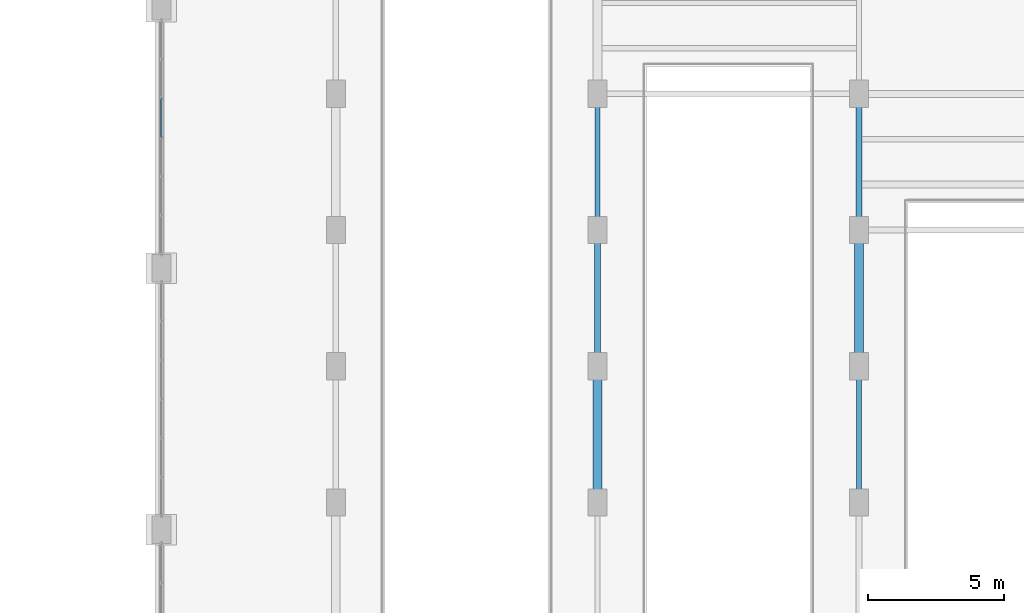
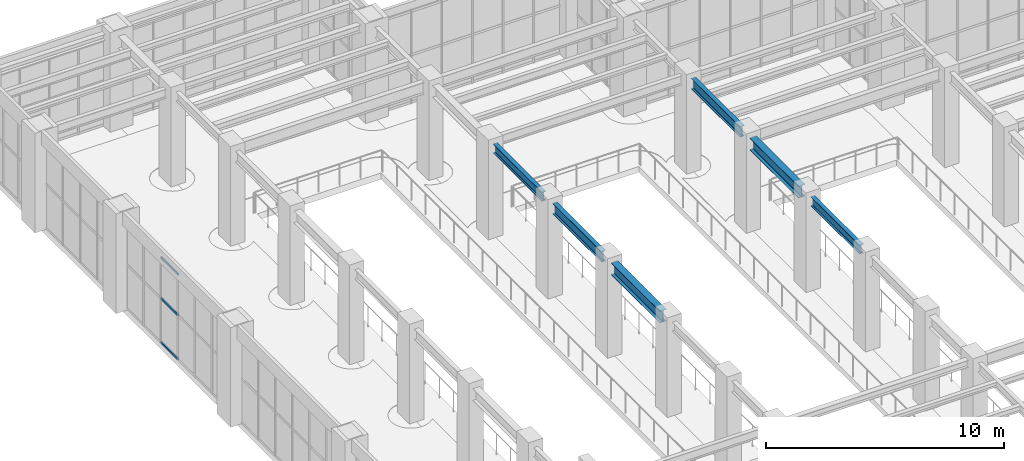
# One storey, part 85 of 174: 6 beams, 3 members, 1 element without a shape of its own.
"""IFC4 building model written with IfcOpenShell, lengths in metres."""

from ifc_helpers import new_model, si_unit, direction, frame, origin, origin_2d, place, context, subcontext, project, spatial, hollow_rectangle, i_section, extrude, material, material_profile, profile_set, type_object, element, aggregate, save


model = new_model("IFC4")

# Units and contexts
model_context = context("Model", 3, precision=1e-05, world=origin(), true_north=direction((0.0, 1.0)))
body_context = subcontext(model_context, "Body", "Model", "MODEL_VIEW")
ifc_project = project(units=[si_unit("LENGTHUNIT", "METRE"), si_unit("AREAUNIT", "SQUARE_METRE"), si_unit("VOLUMEUNIT", "CUBIC_METRE"), si_unit("PLANEANGLEUNIT", "RADIAN"), si_unit("MASSUNIT", "GRAM", prefix="KILO")], contexts=[model_context])

# Site, building, storey
site_placement = place(None, origin())
site = spatial("IfcSite", under=ifc_project, at=site_placement, CompositionType="ELEMENT")
building_placement = place(site_placement, origin())
building = spatial("IfcBuilding", under=site, at=building_placement, Name="Mavantir Sound Aquarium", CompositionType="ELEMENT")
storey_placement = place(building_placement, frame((0.0, 0.0, 5.39990234375)))
storey = spatial("IfcBuildingStorey", under=building, at=storey_placement, Name="L01", CompositionType="ELEMENT", Elevation=5.39990234375)

# Beams
ifc_material_1 = material(Name="Structural Steel ASTM A992 Gr50", Category="steel")
ifc_material_profile_1 = material_profile(ifc_material_1, i_section(OverallWidth=0.194091796875, OverallDepth=0.468994140625, WebThickness=0.0126953125, FlangeThickness=0.0205078125, FilletRadius=0.01611328125, at=origin_2d()), Name="W460X106")
ifc_profile_set_1 = profile_set([ifc_material_profile_1], Name="Structural Steel ASTM A992 Gr50")
beam_type_1 = type_object("IfcBeamType", Name="BM-W460X106-I", PredefinedType="BEAM", material=ifc_profile_set_1)
for number, where, z_axis, x_axis, name in (
    (1, (117.60009765625, 76.25, 4.571533203125), (0.0, 1.0, 0.0), (-1.0, 0.0, 0.0), "L01 primary girder SB-46 1308"),
    (2, (127.199951171875, 66.25, 4.571533203125), (0.0, 1.0, 0.0), (-1.0, 0.0, 0.0), "L01 primary girder SB-46 1317"),
):
    element("IfcBeam", number, at=place(storey_placement, frame(where, z_axis=z_axis, x_axis=x_axis)), inside=storey, type_object=beam_type_1, Name=name, PredefinedType="BEAM", context=body_context, shape_type="SweptSolid", body=[
        extrude(i_section(OverallWidth=0.194091796875, OverallDepth=0.468994140625, WebThickness=0.0126953125, FlangeThickness=0.0205078125, FilletRadius=0.01611328125, at=origin_2d()), origin(), (0.0, 0.0, 1.0), 4.10009765625),
    ])
ifc_material_profile_2 = material_profile(ifc_material_1, i_section(OverallWidth=0.2119140625, OverallDepth=0.5439453125, WebThickness=0.01318359375, FlangeThickness=0.021240234375, FilletRadius=0.01806640625, at=origin_2d()), Name="W530X123")
ifc_profile_set_2 = profile_set([ifc_material_profile_2], Name="Structural Steel ASTM A992 Gr50")
beam_type_2 = type_object("IfcBeamType", Name="BM-W530X123-I", PredefinedType="BEAM", material=ifc_profile_set_2)
for number, where, z_axis, x_axis, name in (
    (3, (117.60009765625, 71.25, 4.5341796875), (0.0, 1.0, 0.0), (-1.0, 0.0, 0.0), "L01 primary girder SB-53 1307"),
    (4, (127.199951171875, 76.25, 4.5341796875), (0.0, 1.0, 0.0), (-1.0, 0.0, 0.0), "L01 primary girder SB-53 1319"),
):
    element("IfcBeam", number, at=place(storey_placement, frame(where, z_axis=z_axis, x_axis=x_axis)), inside=storey, type_object=beam_type_2, Name=name, PredefinedType="BEAM", context=body_context, shape_type="SweptSolid", body=[
        extrude(i_section(OverallWidth=0.2119140625, OverallDepth=0.5439453125, WebThickness=0.01318359375, FlangeThickness=0.021240234375, FilletRadius=0.01806640625, at=origin_2d()), origin(), (0.0, 0.0, 1.0), 4.10009765625),
    ])
ifc_material_profile_3 = material_profile(ifc_material_1, i_section(OverallWidth=0.323974609375, OverallDepth=0.611083984375, WebThickness=0.0126953125, FlangeThickness=0.01904296875, FilletRadius=0.01904296875, at=origin_2d()), Name="W610X155")
ifc_profile_set_3 = profile_set([ifc_material_profile_3], Name="Structural Steel ASTM A992 Gr50")
beam_type_3 = type_object("IfcBeamType", Name="BM-W610X155-I", PredefinedType="BEAM", material=ifc_profile_set_3)
for number, where, z_axis, x_axis, name in (
    (5, (117.60009765625, 66.25, 4.50048828125), (0.0, 1.0, 0.0), (-1.0, 0.0, 0.0), "L01 primary girder SB-61A 1306"),
    (6, (127.199951171875, 71.25, 4.50048828125), (0.0, 1.0, 0.0), (-1.0, 0.0, 0.0), "L01 primary girder SB-61A 1318"),
):
    element("IfcBeam", number, at=place(storey_placement, frame(where, z_axis=z_axis, x_axis=x_axis)), inside=storey, type_object=beam_type_3, Name=name, PredefinedType="BEAM", context=body_context, shape_type="SweptSolid", body=[
        extrude(i_section(OverallWidth=0.323974609375, OverallDepth=0.611083984375, WebThickness=0.0126953125, FlangeThickness=0.01904296875, FilletRadius=0.01904296875, at=origin_2d()), origin(), (0.0, 0.0, 1.0), 4.10009765625),
    ])

# Curtain wall, members
ifc_material_2 = material(Name="Anodised Marine Aluminium and Low-E Glass", Category="aluminium")
curtain_wall_type = type_object("IfcCurtainWallType", Name="CW-T20", PredefinedType="USERDEFINED", material=ifc_material_2)
curtain_wall_placement = place(storey_placement, origin())
curtain_wall = element("IfcCurtainWall", 7, at=curtain_wall_placement, inside=storey, type_object=curtain_wall_type, Name="L01 unitised curtain wall CW-20 92", ObjectType="UNITISED GLAZING", PredefinedType="USERDEFINED")
ifc_material_3 = material(Name="Anodised Marine Aluminium 6063-T6", Category="aluminium")
ifc_material_profile_4 = material_profile(ifc_material_3, hollow_rectangle(XDim=0.06005859375, YDim=0.110107421875, WallThickness=0.00390625, at=origin_2d()), Name="ALU-TRANSOM-110X60")
ifc_profile_set_4 = profile_set([ifc_material_profile_4], Name="Anodised Marine Aluminium 6063-T6")
member_type = type_object("IfcMemberType", Name="CW-TRN-110", PredefinedType="USERDEFINED", material=ifc_profile_set_4)
member_1_placement = place(storey_placement, frame((101.60009765625, 80.630615234375, 0.05517578125), z_axis=(0.0, -1.0, 0.0), x_axis=(1.0, 0.0, 0.0)))
member_1 = element("IfcMember", 8, at=member_1_placement, type_object=member_type, Name="CW-L01-092 transom 3.1", ObjectType="TRANSOM", PredefinedType="USERDEFINED", context=body_context, shape_type="SweptSolid", body=[
    extrude(hollow_rectangle(XDim=0.06005859375, YDim=0.110107421875, WallThickness=0.00390625, at=origin_2d()), origin(), (0.0, 0.0, 1.0), 1.4306640625),
])
member_2_placement = place(storey_placement, frame((101.60009765625, 80.630615234375, 2.31201171875), z_axis=(0.0, -1.0, 0.0), x_axis=(1.0, 0.0, 0.0)))
member_2 = element("IfcMember", 9, at=member_2_placement, type_object=member_type, Name="CW-L01-092 transom 3.2", ObjectType="TRANSOM", PredefinedType="USERDEFINED", context=body_context, shape_type="SweptSolid", body=[
    extrude(hollow_rectangle(XDim=0.06005859375, YDim=0.110107421875, WallThickness=0.00390625, at=origin_2d()), origin(), (0.0, 0.0, 1.0), 1.4306640625),
])
member_3_placement = place(storey_placement, frame((101.60009765625, 80.630615234375, 4.39111328125), z_axis=(0.0, -1.0, 0.0), x_axis=(1.0, 0.0, 0.0)))
member_3 = element("IfcMember", 10, at=member_3_placement, type_object=member_type, Name="CW-L01-092 transom 3.3", ObjectType="TRANSOM", PredefinedType="USERDEFINED", context=body_context, shape_type="SweptSolid", body=[
    extrude(hollow_rectangle(XDim=0.06005859375, YDim=0.110107421875, WallThickness=0.00390625, at=origin_2d()), origin(), (0.0, 0.0, 1.0), 1.4306640625),
])
aggregate(curtain_wall, [member_1, member_2, member_3])

save(model, "model.ifc")
